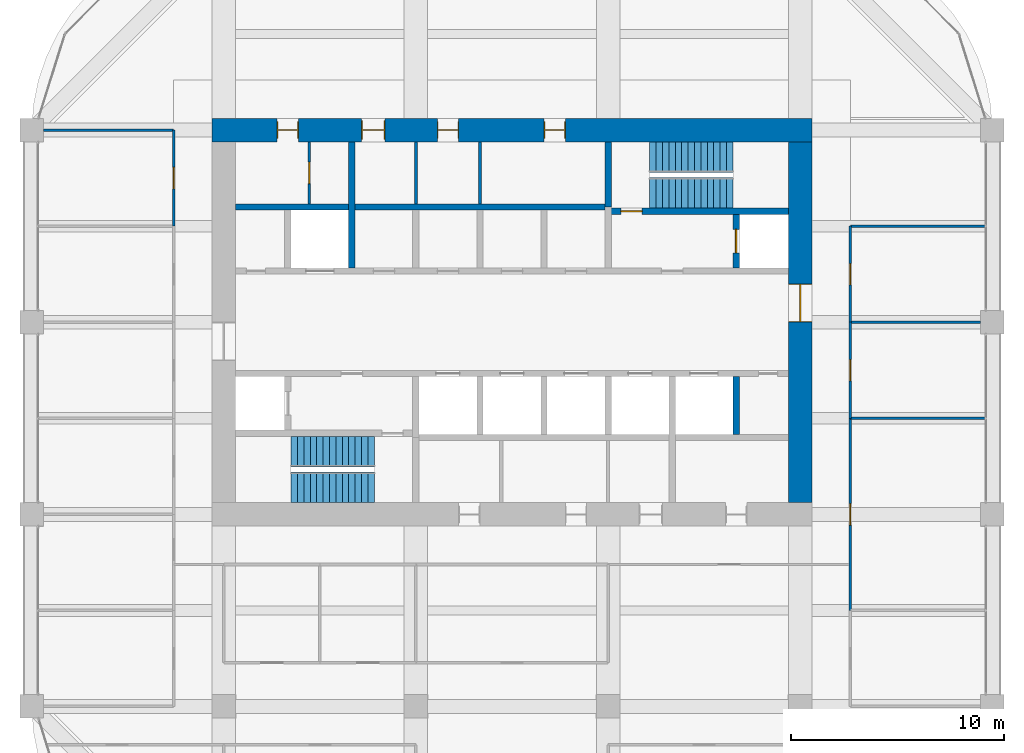
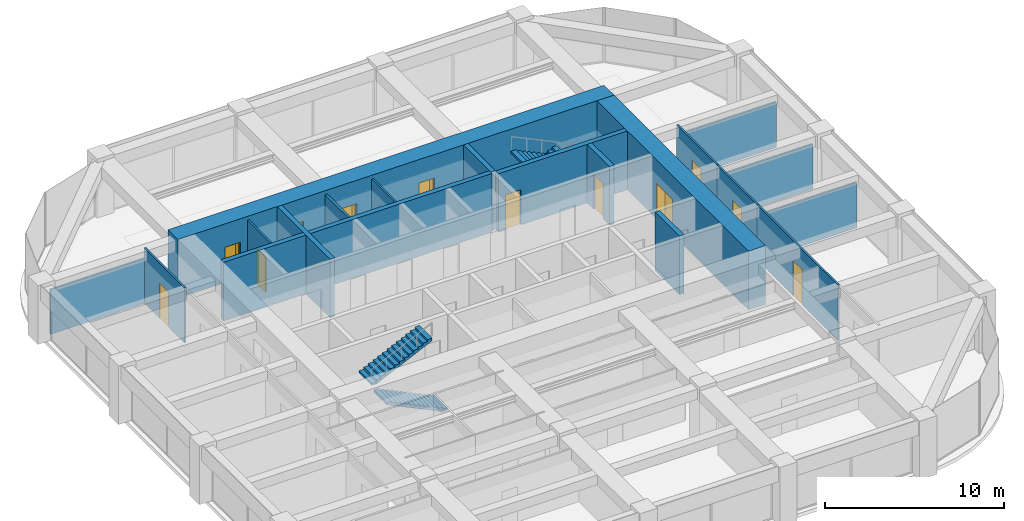
# One storey, part 43 of 44: 19 walls, 12 doors, 4 stair flights, 12 openings, 2 elements without a shape of their own.
"""IFC4 building model written with IfcOpenShell, lengths in metres."""

from ifc_helpers import new_model, si_unit, direction, frame, frame_2d, origin, place, context, subcontext, project, spatial, polyline, rectangle, outline, extrude, material, layer, layer_set, type_object, element, fill, aggregate, save


model = new_model("IFC4")

# Units and contexts
model_context = context("Model", 3, precision=1e-05, world=origin(), true_north=direction((0.0, 1.0)))
body_context = subcontext(model_context, "Body", "Model", "MODEL_VIEW")
ifc_project = project(units=[si_unit("LENGTHUNIT", "METRE"), si_unit("AREAUNIT", "SQUARE_METRE"), si_unit("VOLUMEUNIT", "CUBIC_METRE"), si_unit("PLANEANGLEUNIT", "RADIAN"), si_unit("MASSUNIT", "GRAM", prefix="KILO")], contexts=[model_context])

# Site, building, storey
site_placement = place(None, origin())
site = spatial("IfcSite", under=ifc_project, at=site_placement, CompositionType="ELEMENT")
building_placement = place(site_placement, origin())
building = spatial("IfcBuilding", under=site, at=building_placement, Name="Zorevar Civic Tower", CompositionType="ELEMENT")
storey_placement = place(building_placement, frame((0.0, 0.0, 287.39990234375)))
storey = spatial("IfcBuildingStorey", under=building, at=storey_placement, Name="L70", CompositionType="ELEMENT", Elevation=287.39990234375)

# Wall, openings, doors
ifc_material_1 = material(Name="Concrete C50/60", Category="concrete")
ifc_layer_1 = layer(ifc_material_1, 1.10009765625)
ifc_layer_set_1 = layer_set([ifc_layer_1], Name="Core wall 1100")
wall_type_1 = type_object("IfcWallType", Name="Core wall 1100", PredefinedType="SHEAR", material=ifc_layer_set_1)
wall_1_placement = place(storey_placement, frame((45.550048828125, 36.0, 0.0), z_axis=(0.0, 0.0, 1.0), x_axis=(-1.0, 0.0, 0.0)))
wall_1 = element("IfcWall", 1, at=wall_1_placement, inside=storey, type_object=wall_type_1, Name="Core wall N L70", PredefinedType="SHEAR", context=body_context, shape_type="SweptSolid", body=[
    extrude(rectangle(XDim=28.10009765625, YDim=1.10009765625, at=frame_2d((14.050048828125, 0.0))), origin(), (0.0, 0.0, 1.0), 4.0),
])
opening_1_placement = place(wall_1_placement, frame((11.550048828125, 0.0, 0.0)))
opening_1 = element("IfcOpeningElement", 2, at=opening_1_placement, cuts=wall_1, Name="Opening L70.07", PredefinedType="OPENING", context=body_context, shape_type="SweptSolid", body=[
    extrude(rectangle(XDim=1.0, YDim=2.39990234375, at=frame_2d((0.5, 1.199951171875))), frame((0.0, 0.56005859375, 0.0), z_axis=(0.0, -1.0, 0.0), x_axis=(1.0, 0.0, 0.0)), (0.0, 0.0, 1.0), 1.1201171875),
])
opening_2_placement = place(wall_1_placement, frame((16.550048828125, 0.0, 0.0)))
opening_2 = element("IfcOpeningElement", 3, at=opening_2_placement, cuts=wall_1, Name="Opening L70.08", PredefinedType="OPENING", context=body_context, shape_type="SweptSolid", body=[
    extrude(rectangle(XDim=1.0, YDim=2.39990234375, at=frame_2d((0.5, 1.199951171875))), frame((0.0, 0.56005859375, 0.0), z_axis=(0.0, -1.0, 0.0), x_axis=(1.0, 0.0, 0.0)), (0.0, 0.0, 1.0), 1.1201171875),
])
opening_3_placement = place(wall_1_placement, frame((20.0, 0.0, 0.0)))
opening_3 = element("IfcOpeningElement", 4, at=opening_3_placement, cuts=wall_1, Name="Opening L70.09", PredefinedType="OPENING", context=body_context, shape_type="SweptSolid", body=[
    extrude(rectangle(XDim=1.10009765625, YDim=2.39990234375, at=frame_2d((0.550048828125, 1.199951171875))), frame((0.0, 0.56005859375, 0.0), z_axis=(0.0, -1.0, 0.0), x_axis=(1.0, 0.0, 0.0)), (0.0, 0.0, 1.0), 1.1201171875),
])
opening_4_placement = place(wall_1_placement, frame((24.050048828125, 0.0, 0.0)))
opening_4 = element("IfcOpeningElement", 5, at=opening_4_placement, cuts=wall_1, Name="Opening L70.10", PredefinedType="OPENING", context=body_context, shape_type="SweptSolid", body=[
    extrude(rectangle(XDim=1.0, YDim=2.39990234375, at=frame_2d((0.5, 1.199951171875))), frame((0.0, 0.56005859375, 0.0), z_axis=(0.0, -1.0, 0.0), x_axis=(1.0, 0.0, 0.0)), (0.0, 0.0, 1.0), 1.1201171875),
])
ifc_material_2 = material(Name="Timber door set", Category="wood")
door_type_1 = type_object("IfcDoorType", Name="Door D1 1000x2400", OperationType="SINGLE_SWING_LEFT", PredefinedType="DOOR", material=ifc_material_2)
door_1_placement = place(opening_1_placement, origin())
door_1 = element("IfcDoor", 6, at=door_1_placement, inside=storey, type_object=door_type_1, Name="Door L70 06", OperationType="SINGLE_SWING_LEFT", OverallHeight=2.39990234375, OverallWidth=1.0, PredefinedType="DOOR", context=body_context, shape_type="SweptSolid", body=[
    extrude(rectangle(XDim=1.0, YDim=2.39990234375, at=frame_2d((0.5, 1.199951171875))), frame((0.0, 0.02490234375, 0.0), z_axis=(0.0, -1.0, 0.0), x_axis=(1.0, 0.0, 0.0)), (0.0, 0.0, 1.0), 0.050048828125),
    extrude(rectangle(XDim=0.04, YDim=2.39990234375, at=frame_2d((0.02001953125, 1.199951171875))), frame((0.0, 0.39990234375, 0.0), z_axis=(0.0, -1.0, 0.0), x_axis=(1.0, 0.0, 0.0)), (0.0, 0.0, 1.0), 0.800048828125),
    extrude(rectangle(XDim=0.04, YDim=2.39990234375, at=frame_2d((0.97998046875, 1.199951171875))), frame((0.0, 0.39990234375, 0.0), z_axis=(0.0, -1.0, 0.0), x_axis=(1.0, 0.0, 0.0)), (0.0, 0.0, 1.0), 0.800048828125),
    extrude(rectangle(XDim=1.0, YDim=0.04, at=frame_2d((0.5, 2.3798828125))), frame((0.0, 0.39990234375, 0.0), z_axis=(0.0, -1.0, 0.0), x_axis=(1.0, 0.0, 0.0)), (0.0, 0.0, 1.0), 0.800048828125),
])
fill(opening_1, door_1)
door_2_placement = place(opening_2_placement, origin())
door_2 = element("IfcDoor", 7, at=door_2_placement, inside=storey, type_object=door_type_1, Name="Door L70 07", OperationType="SINGLE_SWING_RIGHT", OverallHeight=2.39990234375, OverallWidth=1.0, PredefinedType="DOOR", context=body_context, shape_type="SweptSolid", body=[
    extrude(rectangle(XDim=1.0, YDim=2.39990234375, at=frame_2d((0.5, 1.199951171875))), frame((0.0, 0.02490234375, 0.0), z_axis=(0.0, -1.0, 0.0), x_axis=(1.0, 0.0, 0.0)), (0.0, 0.0, 1.0), 0.050048828125),
    extrude(rectangle(XDim=0.04, YDim=2.39990234375, at=frame_2d((0.02001953125, 1.199951171875))), frame((0.0, 0.39990234375, 0.0), z_axis=(0.0, -1.0, 0.0), x_axis=(1.0, 0.0, 0.0)), (0.0, 0.0, 1.0), 0.800048828125),
    extrude(rectangle(XDim=0.04, YDim=2.39990234375, at=frame_2d((0.97998046875, 1.199951171875))), frame((0.0, 0.39990234375, 0.0), z_axis=(0.0, -1.0, 0.0), x_axis=(1.0, 0.0, 0.0)), (0.0, 0.0, 1.0), 0.800048828125),
    extrude(rectangle(XDim=1.0, YDim=0.04, at=frame_2d((0.5, 2.3798828125))), frame((0.0, 0.39990234375, 0.0), z_axis=(0.0, -1.0, 0.0), x_axis=(1.0, 0.0, 0.0)), (0.0, 0.0, 1.0), 0.800048828125),
])
fill(opening_2, door_2)
door_3_placement = place(opening_4_placement, origin())
door_3 = element("IfcDoor", 8, at=door_3_placement, inside=storey, type_object=door_type_1, Name="Door L70 09", OperationType="SINGLE_SWING_RIGHT", OverallHeight=2.39990234375, OverallWidth=1.0, PredefinedType="DOOR", context=body_context, shape_type="SweptSolid", body=[
    extrude(rectangle(XDim=1.0, YDim=2.39990234375, at=frame_2d((0.5, 1.199951171875))), frame((0.0, 0.02490234375, 0.0), z_axis=(0.0, -1.0, 0.0), x_axis=(1.0, 0.0, 0.0)), (0.0, 0.0, 1.0), 0.050048828125),
    extrude(rectangle(XDim=0.04, YDim=2.39990234375, at=frame_2d((0.02001953125, 1.199951171875))), frame((0.0, 0.39990234375, 0.0), z_axis=(0.0, -1.0, 0.0), x_axis=(1.0, 0.0, 0.0)), (0.0, 0.0, 1.0), 0.800048828125),
    extrude(rectangle(XDim=0.04, YDim=2.39990234375, at=frame_2d((0.97998046875, 1.199951171875))), frame((0.0, 0.39990234375, 0.0), z_axis=(0.0, -1.0, 0.0), x_axis=(1.0, 0.0, 0.0)), (0.0, 0.0, 1.0), 0.800048828125),
    extrude(rectangle(XDim=1.0, YDim=0.04, at=frame_2d((0.5, 2.3798828125))), frame((0.0, 0.39990234375, 0.0), z_axis=(0.0, -1.0, 0.0), x_axis=(1.0, 0.0, 0.0)), (0.0, 0.0, 1.0), 0.800048828125),
])
fill(opening_4, door_3)
ifc_material_3 = material(Name="Timber door set", Category="wood")
door_type_2 = type_object("IfcDoorType", Name="Door D5 1100x2400", OperationType="SINGLE_SWING_LEFT", PredefinedType="DOOR", material=ifc_material_3)
door_4_placement = place(opening_3_placement, origin())
door_4 = element("IfcDoor", 9, at=door_4_placement, inside=storey, type_object=door_type_2, Name="Door L70 08", OperationType="SINGLE_SWING_RIGHT", OverallHeight=2.39990234375, OverallWidth=1.10009765625, PredefinedType="DOOR", context=body_context, shape_type="SweptSolid", body=[
    extrude(rectangle(XDim=1.10009765625, YDim=2.39990234375, at=frame_2d((0.550048828125, 1.199951171875))), frame((0.0, 0.02490234375, 0.0), z_axis=(0.0, -1.0, 0.0), x_axis=(1.0, 0.0, 0.0)), (0.0, 0.0, 1.0), 0.050048828125),
    extrude(rectangle(XDim=0.04, YDim=2.39990234375, at=frame_2d((0.02001953125, 1.199951171875))), frame((0.0, 0.43994140625, 0.0), z_axis=(0.0, -1.0, 0.0), x_axis=(1.0, 0.0, 0.0)), (0.0, 0.0, 1.0), 0.880126953125),
    extrude(rectangle(XDim=0.04, YDim=2.39990234375, at=frame_2d((1.080078125, 1.199951171875))), frame((0.0, 0.43994140625, 0.0), z_axis=(0.0, -1.0, 0.0), x_axis=(1.0, 0.0, 0.0)), (0.0, 0.0, 1.0), 0.880126953125),
    extrude(rectangle(XDim=1.10009765625, YDim=0.04, at=frame_2d((0.550048828125, 2.3798828125))), frame((0.0, 0.43994140625, 0.0), z_axis=(0.0, -1.0, 0.0), x_axis=(1.0, 0.0, 0.0)), (0.0, 0.0, 1.0), 0.880126953125),
])
fill(opening_3, door_4)

# Wall, opening, door
wall_2_placement = place(storey_placement, frame((45.0, 18.550048828125, 0.0), z_axis=(0.0, 0.0, 1.0), x_axis=(0.0, 1.0, 0.0)))
wall_2 = element("IfcWall", 10, at=wall_2_placement, inside=storey, type_object=wall_type_1, Name="Core wall E L70", PredefinedType="SHEAR", context=body_context, shape_type="SweptSolid", body=[
    extrude(rectangle(XDim=16.89990234375, YDim=1.10009765625, at=frame_2d((8.449951171875, 0.0))), origin(), (0.0, 0.0, 1.0), 4.0),
])
opening_5_placement = place(wall_2_placement, frame((8.449951171875, 0.0, 0.0)))
opening_5 = element("IfcOpeningElement", 11, at=opening_5_placement, cuts=wall_2, Name="Opening L70.02", PredefinedType="OPENING", context=body_context, shape_type="SweptSolid", body=[
    extrude(rectangle(XDim=1.800048828125, YDim=2.39990234375, at=frame_2d((0.89990234375, 1.199951171875))), frame((0.0, 0.56005859375, 0.0), z_axis=(0.0, -1.0, 0.0), x_axis=(1.0, 0.0, 0.0)), (0.0, 0.0, 1.0), 1.1201171875),
])
ifc_material_4 = material(Name="Steel door set", Category="steel")
door_type_3 = type_object("IfcDoorType", Name="Fire door FD2 1800x2400", OperationType="DOUBLE_DOOR_DOUBLE_SWING", PredefinedType="DOOR", material=ifc_material_4)
door_5_placement = place(opening_5_placement, origin())
door_5 = element("IfcDoor", 12, at=door_5_placement, inside=storey, type_object=door_type_3, Name="Door L70 01", OperationType="DOUBLE_DOOR_DOUBLE_SWING", OverallHeight=2.39990234375, OverallWidth=1.800048828125, PredefinedType="DOOR", context=body_context, shape_type="SweptSolid", body=[
    extrude(rectangle(XDim=1.800048828125, YDim=2.39990234375, at=frame_2d((0.89990234375, 1.199951171875))), frame((0.0, 0.030029296875, 0.0), z_axis=(0.0, -1.0, 0.0), x_axis=(1.0, 0.0, 0.0)), (0.0, 0.0, 1.0), 0.06005859375),
    extrude(rectangle(XDim=0.04, YDim=2.39990234375, at=frame_2d((0.02001953125, 1.199951171875))), frame((0.0, 0.5498046875, 0.0), z_axis=(0.0, -1.0, 0.0), x_axis=(1.0, 0.0, 0.0)), (0.0, 0.0, 1.0), 1.099609375),
    extrude(rectangle(XDim=0.04, YDim=2.39990234375, at=frame_2d((1.780029296875, 1.199951171875))), frame((0.0, 0.5498046875, 0.0), z_axis=(0.0, -1.0, 0.0), x_axis=(1.0, 0.0, 0.0)), (0.0, 0.0, 1.0), 1.099609375),
    extrude(rectangle(XDim=1.800048828125, YDim=0.04, at=frame_2d((0.89990234375, 2.3798828125))), frame((0.0, 0.5498046875, 0.0), z_axis=(0.0, -1.0, 0.0), x_axis=(1.0, 0.0, 0.0)), (0.0, 0.0, 1.0), 1.099609375),
])
fill(opening_5, door_5)

ifc_material_5 = material(Name="Concrete C40/50", Category="concrete")
ifc_layer_2 = layer(ifc_material_5, 0.300048828125)
ifc_layer_set_2 = layer_set([ifc_layer_2], Name="Inner core wall 300")
wall_type_2 = type_object("IfcWallType", Name="Inner core wall 300", PredefinedType="SHEAR", material=ifc_layer_set_2)
wall_3_placement = place(storey_placement, frame((36.14990234375, 32.199951171875, 0.0), z_axis=(0.0, 0.0, 1.0), x_axis=(1.0, 0.0, 0.0)))
wall_3 = element("IfcWall", 13, at=wall_3_placement, inside=storey, type_object=wall_type_2, Name="Inner core wall N00 L70", PredefinedType="SHEAR", context=body_context, shape_type="SweptSolid", body=[
    extrude(rectangle(XDim=8.300048828125, YDim=0.300048828125, at=frame_2d((4.14990234375, 0.0))), origin(), (0.0, 0.0, 1.0), 4.0),
])
opening_6_placement = place(wall_3_placement, frame((0.449951171875, 0.0, 0.0)))
opening_6 = element("IfcOpeningElement", 14, at=opening_6_placement, cuts=wall_3, Name="Opening L70.12", PredefinedType="OPENING", context=body_context, shape_type="SweptSolid", body=[
    extrude(rectangle(XDim=1.0, YDim=2.39990234375, at=frame_2d((0.5, 1.199951171875))), frame((0.0, 0.159912109375, 0.0), z_axis=(0.0, -1.0, 0.0), x_axis=(1.0, 0.0, 0.0)), (0.0, 0.0, 1.0), 0.320068359375),
])
ifc_material_6 = material(Name="Steel door set", Category="steel")
door_type_4 = type_object("IfcDoorType", Name="Fire door FD1 1000x2400", OperationType="SINGLE_SWING_LEFT", PredefinedType="DOOR", material=ifc_material_6)
door_6_placement = place(opening_6_placement, origin())
door_6 = element("IfcDoor", 15, at=door_6_placement, inside=storey, type_object=door_type_4, Name="Door L70 11", OperationType="SINGLE_SWING_RIGHT", OverallHeight=2.39990234375, OverallWidth=1.0, PredefinedType="DOOR", context=body_context, shape_type="SweptSolid", body=[
    extrude(rectangle(XDim=1.0, YDim=2.39990234375, at=frame_2d((0.5, 1.199951171875))), frame((0.0, 0.030029296875, 0.0), z_axis=(0.0, -1.0, 0.0), x_axis=(1.0, 0.0, 0.0)), (0.0, 0.0, 1.0), 0.06005859375),
])
fill(opening_6, door_6)

# Wall
wall_4_placement = place(storey_placement, frame((36.0, 32.39990234375, 0.0), z_axis=(0.0, 0.0, 1.0), x_axis=(0.0, 1.0, 0.0)))
element("IfcWall", 16, at=wall_4_placement, inside=storey, type_object=wall_type_2, Name="Inner core wall N01 L70", PredefinedType="SHEAR", context=body_context, shape_type="SweptSolid", body=[
    extrude(rectangle(XDim=3.050048828125, YDim=0.300048828125, at=frame_2d((1.52490234375, 0.0))), origin(), (0.0, 0.0, 1.0), 4.0),
])

# Wall, opening, door
wall_5_placement = place(storey_placement, frame((42.0, 29.550048828125, 0.0), z_axis=(0.0, 0.0, 1.0), x_axis=(0.0, 1.0, 0.0)))
wall_5 = element("IfcWall", 17, at=wall_5_placement, inside=storey, type_object=wall_type_2, Name="Inner core wall N02 L70", PredefinedType="SHEAR", context=body_context, shape_type="SweptSolid", body=[
    extrude(rectangle(XDim=2.5, YDim=0.300048828125, at=frame_2d((1.25, 0.0))), origin(), (0.0, 0.0, 1.0), 4.0),
])
opening_7_placement = place(wall_5_placement, frame((0.699951171875, 0.0, 0.0)))
opening_7 = element("IfcOpeningElement", 18, at=opening_7_placement, cuts=wall_5, Name="Opening L70.FL2", PredefinedType="OPENING", context=body_context, shape_type="SweptSolid", body=[
    extrude(rectangle(XDim=1.10009765625, YDim=2.39990234375, at=frame_2d((0.550048828125, 1.199951171875))), frame((0.0, 0.159912109375, 0.0), z_axis=(0.0, -1.0, 0.0), x_axis=(1.0, 0.0, 0.0)), (0.0, 0.0, 1.0), 0.320068359375),
])
ifc_material_7 = material(Name="Steel door set", Category="steel")
door_type_5 = type_object("IfcDoorType", Name="Firefighting lift landing door LD3 1100x2400", OperationType="DOUBLE_DOOR_SLIDING", PredefinedType="DOOR", material=ifc_material_7)
door_7_placement = place(opening_7_placement, origin())
door_7 = element("IfcDoor", 19, at=door_7_placement, inside=storey, type_object=door_type_5, Name="Landing door FL2 L70", OperationType="DOUBLE_DOOR_SLIDING", OverallHeight=2.39990234375, OverallWidth=1.10009765625, PredefinedType="DOOR", context=body_context, shape_type="SweptSolid", body=[
    extrude(rectangle(XDim=1.10009765625, YDim=2.39990234375, at=frame_2d((0.550048828125, 1.199951171875))), frame((0.0, 0.030029296875, 0.0), z_axis=(0.0, -1.0, 0.0), x_axis=(1.0, 0.0, 0.0)), (0.0, 0.0, 1.0), 0.06005859375),
])
fill(opening_7, door_7)

# Walls
wall_6_placement = place(storey_placement, frame((18.550048828125, 32.39990234375, 0.0), z_axis=(0.0, 0.0, 1.0), x_axis=(1.0, 0.0, 0.0)))
element("IfcWall", 20, at=wall_6_placement, inside=storey, type_object=wall_type_2, Name="Inner core wall N04 L70", PredefinedType="SHEAR", context=body_context, shape_type="SweptSolid", body=[
    extrude(rectangle(XDim=17.300048828125, YDim=0.300048828125, at=frame_2d((8.64990234375, 0.0))), origin(), (0.0, 0.0, 1.0), 4.0),
])
wall_7_placement = place(storey_placement, frame((24.0, 29.550048828125, 0.0), z_axis=(0.0, 0.0, 1.0), x_axis=(0.0, 1.0, 0.0)))
element("IfcWall", 21, at=wall_7_placement, inside=storey, type_object=wall_type_2, Name="Inner core wall N08 L70", PredefinedType="SHEAR", context=body_context, shape_type="SweptSolid", body=[
    extrude(rectangle(XDim=5.89990234375, YDim=0.300048828125, at=frame_2d((2.949951171875, 0.0))), origin(), (0.0, 0.0, 1.0), 4.0),
])
wall_8_placement = place(storey_placement, frame((42.0, 21.75, 0.0), z_axis=(0.0, 0.0, 1.0), x_axis=(0.0, 1.0, 0.0)))
element("IfcWall", 22, at=wall_8_placement, inside=storey, type_object=wall_type_2, Name="Inner core wall S09 L70", PredefinedType="SHEAR", context=body_context, shape_type="SweptSolid", body=[
    extrude(rectangle(XDim=2.699951171875, YDim=0.300048828125, at=frame_2d((1.35009765625, 0.0))), origin(), (0.0, 0.0, 1.0), 4.0),
])
ifc_material_8 = material(Name="Gypsum board on steel studs", Category="steel")
ifc_layer_3 = layer(ifc_material_8, 0.1201171875)
ifc_layer_set_3 = layer_set([ifc_layer_3], Name="Partition 120")
wall_type_3 = type_object("IfcWallType", Name="Partition 120", PredefinedType="PARTITIONING", material=ifc_layer_set_3)
wall_9_placement = place(storey_placement, frame((47.35009765625, 22.5, 0.0), z_axis=(0.0, 0.0, 1.0), x_axis=(1.0, 0.0, 0.0)))
element("IfcWall", 23, at=wall_9_placement, inside=storey, type_object=wall_type_3, Name="Partition 120 L70", PredefinedType="PARTITIONING", context=body_context, shape_type="SweptSolid", body=[
    extrude(rectangle(XDim=6.33984375, YDim=0.1201171875, at=frame_2d((3.169921875, 0.0))), origin(), (0.0, 0.0, 1.0), 3.10009765625),
])
wall_10_placement = place(storey_placement, frame((47.35009765625, 27.0, 0.0), z_axis=(0.0, 0.0, 1.0), x_axis=(1.0, 0.0, 0.0)))
element("IfcWall", 24, at=wall_10_placement, inside=storey, type_object=wall_type_3, Name="Partition 120 L70", PredefinedType="PARTITIONING", context=body_context, shape_type="SweptSolid", body=[
    extrude(rectangle(XDim=6.099853515625, YDim=0.1201171875, at=frame_2d((3.0498046875, 0.0))), origin(), (0.0, 0.0, 1.0), 3.050048828125),
])
wall_11_placement = place(storey_placement, frame((47.35009765625, 31.5, 0.0), z_axis=(0.0, 0.0, 1.0), x_axis=(1.0, 0.0, 0.0)))
element("IfcWall", 25, at=wall_11_placement, inside=storey, type_object=wall_type_3, Name="Partition 120 L70", PredefinedType="PARTITIONING", context=body_context, shape_type="SweptSolid", body=[
    extrude(rectangle(XDim=6.33984375, YDim=0.1201171875, at=frame_2d((3.169921875, 0.0))), origin(), (0.0, 0.0, 1.0), 3.10009765625),
])
wall_12_placement = place(storey_placement, frame((9.550048828125, 36.0, 0.0), z_axis=(0.0, 0.0, 1.0), x_axis=(1.0, 0.0, 0.0)))
element("IfcWall", 26, at=wall_12_placement, inside=storey, type_object=wall_type_3, Name="Partition 120 L70", PredefinedType="PARTITIONING", context=body_context, shape_type="SweptSolid", body=[
    extrude(rectangle(XDim=6.099853515625, YDim=0.1201171875, at=frame_2d((3.0498046875, 0.0))), origin(), (0.0, 0.0, 1.0), 3.050048828125),
])

# Wall, opening, door
wall_13_placement = place(storey_placement, frame((15.64990234375, 31.5, 0.0), z_axis=(0.0, 0.0, 1.0), x_axis=(0.0, 1.0, 0.0)))
wall_13 = element("IfcWall", 27, at=wall_13_placement, inside=storey, type_object=wall_type_3, Name="Partition 120 L70", PredefinedType="PARTITIONING", context=body_context, shape_type="SweptSolid", body=[
    extrude(rectangle(XDim=4.5, YDim=0.1201171875, at=frame_2d((2.25, 0.0))), origin(), (0.0, 0.0, 1.0), 3.75),
])
opening_8_placement = place(wall_13_placement, frame((1.75, 0.0, 0.0)))
opening_8 = element("IfcOpeningElement", 28, at=opening_8_placement, cuts=wall_13, Name="Opening L70.29", PredefinedType="OPENING", context=body_context, shape_type="SweptSolid", body=[
    extrude(rectangle(XDim=1.0, YDim=2.39990234375, at=frame_2d((0.5, 1.199951171875))), frame((0.0, 0.070068359375, 0.0), z_axis=(0.0, -1.0, 0.0), x_axis=(1.0, 0.0, 0.0)), (0.0, 0.0, 1.0), 0.14013671875),
])
door_8_placement = place(opening_8_placement, origin())
door_8 = element("IfcDoor", 29, at=door_8_placement, inside=storey, type_object=door_type_1, Name="Door L70 D1", OperationType="SINGLE_SWING_RIGHT", OverallHeight=2.39990234375, OverallWidth=1.0, PredefinedType="DOOR", context=body_context, shape_type="SweptSolid", body=[
    extrude(rectangle(XDim=1.0, YDim=2.39990234375, at=frame_2d((0.5, 1.199951171875))), frame((0.0, 0.02490234375, 0.0), z_axis=(0.0, -1.0, 0.0), x_axis=(1.0, 0.0, 0.0)), (0.0, 0.0, 1.0), 0.050048828125),
])
fill(opening_8, door_8)

wall_14_placement = place(storey_placement, frame((47.35009765625, 13.5, 0.0), z_axis=(0.0, 0.0, 1.0), x_axis=(0.0, 1.0, 0.0)))
wall_14 = element("IfcWall", 30, at=wall_14_placement, inside=storey, type_object=wall_type_3, Name="Partition 120 L70", PredefinedType="PARTITIONING", context=body_context, shape_type="SweptSolid", body=[
    extrude(rectangle(XDim=9.0, YDim=0.1201171875, at=frame_2d((4.5, 0.0))), origin(), (0.0, 0.0, 1.0), 3.75),
])
opening_9_placement = place(wall_14_placement, frame((4.0, 0.0, 0.0)))
opening_9 = element("IfcOpeningElement", 31, at=opening_9_placement, cuts=wall_14, Name="Opening L70.31", PredefinedType="OPENING", context=body_context, shape_type="SweptSolid", body=[
    extrude(rectangle(XDim=1.0, YDim=2.39990234375, at=frame_2d((0.5, 1.199951171875))), frame((0.0, 0.070068359375, 0.0), z_axis=(0.0, -1.0, 0.0), x_axis=(1.0, 0.0, 0.0)), (0.0, 0.0, 1.0), 0.14013671875),
])
door_9_placement = place(opening_9_placement, origin())
door_9 = element("IfcDoor", 32, at=door_9_placement, inside=storey, type_object=door_type_1, Name="Door L70 D1", OperationType="SINGLE_SWING_RIGHT", OverallHeight=2.39990234375, OverallWidth=1.0, PredefinedType="DOOR", context=body_context, shape_type="SweptSolid", body=[
    extrude(rectangle(XDim=1.0, YDim=2.39990234375, at=frame_2d((0.5, 1.199951171875))), frame((0.0, 0.02490234375, 0.0), z_axis=(0.0, -1.0, 0.0), x_axis=(1.0, 0.0, 0.0)), (0.0, 0.0, 1.0), 0.050048828125),
])
fill(opening_9, door_9)

wall_15_placement = place(storey_placement, frame((47.35009765625, 22.5, 0.0), z_axis=(0.0, 0.0, 1.0), x_axis=(0.0, 1.0, 0.0)))
wall_15 = element("IfcWall", 33, at=wall_15_placement, inside=storey, type_object=wall_type_3, Name="Partition 120 L70", PredefinedType="PARTITIONING", context=body_context, shape_type="SweptSolid", body=[
    extrude(rectangle(XDim=4.5, YDim=0.1201171875, at=frame_2d((2.25, 0.0))), origin(), (0.0, 0.0, 1.0), 3.75),
])
opening_10_placement = place(wall_15_placement, frame((1.75, 0.0, 0.0)))
opening_10 = element("IfcOpeningElement", 34, at=opening_10_placement, cuts=wall_15, Name="Opening L70.32", PredefinedType="OPENING", context=body_context, shape_type="SweptSolid", body=[
    extrude(rectangle(XDim=1.0, YDim=2.39990234375, at=frame_2d((0.5, 1.199951171875))), frame((0.0, 0.070068359375, 0.0), z_axis=(0.0, -1.0, 0.0), x_axis=(1.0, 0.0, 0.0)), (0.0, 0.0, 1.0), 0.14013671875),
])
door_10_placement = place(opening_10_placement, origin())
door_10 = element("IfcDoor", 35, at=door_10_placement, inside=storey, type_object=door_type_1, Name="Door L70 D1", OperationType="SINGLE_SWING_RIGHT", OverallHeight=2.39990234375, OverallWidth=1.0, PredefinedType="DOOR", context=body_context, shape_type="SweptSolid", body=[
    extrude(rectangle(XDim=1.0, YDim=2.39990234375, at=frame_2d((0.5, 1.199951171875))), frame((0.0, 0.02490234375, 0.0), z_axis=(0.0, -1.0, 0.0), x_axis=(1.0, 0.0, 0.0)), (0.0, 0.0, 1.0), 0.050048828125),
])
fill(opening_10, door_10)

wall_16_placement = place(storey_placement, frame((47.35009765625, 27.0, 0.0), z_axis=(0.0, 0.0, 1.0), x_axis=(0.0, 1.0, 0.0)))
wall_16 = element("IfcWall", 36, at=wall_16_placement, inside=storey, type_object=wall_type_3, Name="Partition 120 L70", PredefinedType="PARTITIONING", context=body_context, shape_type="SweptSolid", body=[
    extrude(rectangle(XDim=4.5, YDim=0.1201171875, at=frame_2d((2.25, 0.0))), origin(), (0.0, 0.0, 1.0), 3.75),
])
opening_11_placement = place(wall_16_placement, frame((1.75, 0.0, 0.0)))
opening_11 = element("IfcOpeningElement", 37, at=opening_11_placement, cuts=wall_16, Name="Opening L70.33", PredefinedType="OPENING", context=body_context, shape_type="SweptSolid", body=[
    extrude(rectangle(XDim=1.0, YDim=2.39990234375, at=frame_2d((0.5, 1.199951171875))), frame((0.0, 0.070068359375, 0.0), z_axis=(0.0, -1.0, 0.0), x_axis=(1.0, 0.0, 0.0)), (0.0, 0.0, 1.0), 0.14013671875),
])
door_11_placement = place(opening_11_placement, origin())
door_11 = element("IfcDoor", 38, at=door_11_placement, inside=storey, type_object=door_type_1, Name="Door L70 D1", OperationType="SINGLE_SWING_LEFT", OverallHeight=2.39990234375, OverallWidth=1.0, PredefinedType="DOOR", context=body_context, shape_type="SweptSolid", body=[
    extrude(rectangle(XDim=1.0, YDim=2.39990234375, at=frame_2d((0.5, 1.199951171875))), frame((0.0, 0.02490234375, 0.0), z_axis=(0.0, -1.0, 0.0), x_axis=(1.0, 0.0, 0.0)), (0.0, 0.0, 1.0), 0.050048828125),
])
fill(opening_11, door_11)

# Wall
wall_17_placement = place(storey_placement, frame((30.0, 32.550048828125, 0.0), z_axis=(0.0, 0.0, 1.0), x_axis=(0.0, 1.0, 0.0)))
element("IfcWall", 39, at=wall_17_placement, inside=storey, type_object=wall_type_3, Name="Partition L70", PredefinedType="PARTITIONING", context=body_context, shape_type="SweptSolid", body=[
    extrude(rectangle(XDim=2.89990234375, YDim=0.1201171875, at=frame_2d((1.449951171875, 0.0))), origin(), (0.0, 0.0, 1.0), 3.75),
])

# Wall, opening, door
wall_18_placement = place(storey_placement, frame((22.0, 32.550048828125, 0.0), z_axis=(0.0, 0.0, 1.0), x_axis=(0.0, 1.0, 0.0)))
wall_18 = element("IfcWall", 40, at=wall_18_placement, inside=storey, type_object=wall_type_3, Name="Partition L70", PredefinedType="PARTITIONING", context=body_context, shape_type="SweptSolid", body=[
    extrude(rectangle(XDim=2.89990234375, YDim=0.1201171875, at=frame_2d((1.449951171875, 0.0))), origin(), (0.0, 0.0, 1.0), 3.75),
])
opening_12_placement = place(wall_18_placement, frame((0.949951171875, 0.0, 0.0)))
opening_12 = element("IfcOpeningElement", 41, at=opening_12_placement, cuts=wall_18, Name="Opening L70.34", PredefinedType="OPENING", context=body_context, shape_type="SweptSolid", body=[
    extrude(rectangle(XDim=1.0, YDim=2.39990234375, at=frame_2d((0.5, 1.199951171875))), frame((0.0, 0.070068359375, 0.0), z_axis=(0.0, -1.0, 0.0), x_axis=(1.0, 0.0, 0.0)), (0.0, 0.0, 1.0), 0.14013671875),
])
door_12_placement = place(opening_12_placement, origin())
door_12 = element("IfcDoor", 42, at=door_12_placement, inside=storey, type_object=door_type_4, Name="Door L70 EN", OperationType="SINGLE_SWING_LEFT", OverallHeight=2.39990234375, OverallWidth=1.0, PredefinedType="DOOR", context=body_context, shape_type="SweptSolid", body=[
    extrude(rectangle(XDim=1.0, YDim=2.39990234375, at=frame_2d((0.5, 1.199951171875))), frame((0.0, 0.030029296875, 0.0), z_axis=(0.0, -1.0, 0.0), x_axis=(1.0, 0.0, 0.0)), (0.0, 0.0, 1.0), 0.06005859375),
])
fill(opening_12, door_12)

# Wall
ifc_material_9 = material(Name="Gypsum board on steel studs, moisture resistant", Category="steel")
ifc_layer_4 = layer(ifc_material_9, 0.14990234375)
ifc_layer_set_4 = layer_set([ifc_layer_4], Name="WC partition 150")
wall_type_4 = type_object("IfcWallType", Name="WC partition 150", PredefinedType="PARTITIONING", material=ifc_layer_set_4)
wall_19_placement = place(storey_placement, frame((27.0, 32.550048828125, 0.0), z_axis=(0.0, 0.0, 1.0), x_axis=(0.0, 1.0, 0.0)))
element("IfcWall", 43, at=wall_19_placement, inside=storey, type_object=wall_type_4, Name="WC partition L70", PredefinedType="PARTITIONING", context=body_context, shape_type="SweptSolid", body=[
    extrude(rectangle(XDim=2.89990234375, YDim=0.14990234375, at=frame_2d((1.449951171875, 0.0))), origin(), (0.0, 0.0, 1.0), 3.75),
])

# Stair, stair flights
ifc_material_10 = material(Name="Precast concrete C40/50", Category="concrete")
stair_type = type_object("IfcStairType", Name="Stair ST 28R", PredefinedType="HALF_TURN_STAIR", material=ifc_material_10)
stair_1_placement = place(storey_placement, origin())
stair_1 = element("IfcStair", 44, at=stair_1_placement, inside=storey, type_object=stair_type, Name="Stair ST1 L70", PredefinedType="HALF_TURN_STAIR")
ifc_material_11 = material(Name="Precast concrete C40/50", Category="concrete")
stair_flight_type = type_object("IfcStairFlightType", Name="Stair flight", PredefinedType="STRAIGHT", material=ifc_material_11)
stair_flight_1_placement = place(storey_placement, frame((25.050048828125, 19.262451171875, 0.0), z_axis=(0.0, 0.0, 1.0), x_axis=(-1.0, 0.0, 0.0)))
stair_flight_1 = element("IfcStairFlight", 45, at=stair_flight_1_placement, type_object=stair_flight_type, Name="ST1 flight 1", NumberOfRisers=14, NumberOfTreads=13, PredefinedType="STRAIGHT", RiserHeight=0.142857143, TreadLength=0.3, context=body_context, shape_type="SweptSolid", body=[
    extrude(outline(polyline([(0.0, 0.0), (0.0, 0.142822265625), (0.300048828125, 0.142822265625), (0.300048828125, 0.28564453125), (0.60009765625, 0.28564453125), (0.60009765625, 0.428466796875), (0.89990234375, 0.428466796875), (0.89990234375, 0.571533203125), (1.199951171875, 0.571533203125), (1.199951171875, 0.71435546875), (1.5, 0.71435546875), (1.5, 0.857177734375), (1.800048828125, 0.857177734375), (1.800048828125, 1.0), (2.10009765625, 1.0), (2.10009765625, 1.142822265625), (2.39990234375, 1.142822265625), (2.39990234375, 1.28564453125), (2.699951171875, 1.28564453125), (2.699951171875, 1.428466796875), (3.0, 1.428466796875), (3.0, 1.571533203125), (3.300048828125, 1.571533203125), (3.300048828125, 1.71435546875), (3.60009765625, 1.71435546875), (3.60009765625, 1.857177734375), (3.89990234375, 1.857177734375), (3.89990234375, 2.0), (3.89990234375, 1.691162109375), (0.3486328125, 0.0), (0.0, 0.0)])), frame((0.0, 0.71240234375, 0.0), z_axis=(0.0, -1.0, 0.0), x_axis=(1.0, 0.0, 0.0)), (0.0, 0.0, 1.0), 1.425048828125),
])
stair_flight_2_placement = place(storey_placement, frame((21.14990234375, 20.9375, 2.0), z_axis=(0.0, 0.0, 1.0), x_axis=(1.0, 0.0, 0.0)))
stair_flight_2 = element("IfcStairFlight", 46, at=stair_flight_2_placement, type_object=stair_flight_type, Name="ST1 flight 2", NumberOfRisers=14, NumberOfTreads=13, PredefinedType="STRAIGHT", RiserHeight=0.142857143, TreadLength=0.3, context=body_context, shape_type="SweptSolid", body=[
    extrude(outline(polyline([(0.0, 0.0), (0.0, 0.142822265625), (0.300048828125, 0.142822265625), (0.300048828125, 0.28564453125), (0.60009765625, 0.28564453125), (0.60009765625, 0.428466796875), (0.89990234375, 0.428466796875), (0.89990234375, 0.571533203125), (1.199951171875, 0.571533203125), (1.199951171875, 0.71435546875), (1.5, 0.71435546875), (1.5, 0.857177734375), (1.800048828125, 0.857177734375), (1.800048828125, 1.0), (2.10009765625, 1.0), (2.10009765625, 1.142822265625), (2.39990234375, 1.142822265625), (2.39990234375, 1.28564453125), (2.699951171875, 1.28564453125), (2.699951171875, 1.428466796875), (3.0, 1.428466796875), (3.0, 1.571533203125), (3.300048828125, 1.571533203125), (3.300048828125, 1.71435546875), (3.60009765625, 1.71435546875), (3.60009765625, 1.857177734375), (3.89990234375, 1.857177734375), (3.89990234375, 2.0), (3.89990234375, 1.691162109375), (0.3486328125, 0.0), (0.0, 0.0)])), frame((0.0, 0.71240234375, 0.0), z_axis=(0.0, -1.0, 0.0), x_axis=(1.0, 0.0, 0.0)), (0.0, 0.0, 1.0), 1.425048828125),
])
aggregate(stair_1, [stair_flight_1, stair_flight_2])

stair_2_placement = place(storey_placement, origin())
stair_2 = element("IfcStair", 47, at=stair_2_placement, inside=storey, type_object=stair_type, Name="Stair ST2 L70", PredefinedType="HALF_TURN_STAIR")
stair_flight_3_placement = place(storey_placement, frame((37.949951171875, 34.737548828125, 0.0), z_axis=(0.0, 0.0, 1.0), x_axis=(1.0, 0.0, 0.0)))
stair_flight_3 = element("IfcStairFlight", 48, at=stair_flight_3_placement, type_object=stair_flight_type, Name="ST2 flight 1", NumberOfRisers=14, NumberOfTreads=13, PredefinedType="STRAIGHT", RiserHeight=0.142857143, TreadLength=0.3, context=body_context, shape_type="SweptSolid", body=[
    extrude(outline(polyline([(0.0, 0.0), (0.0, 0.142822265625), (0.300048828125, 0.142822265625), (0.300048828125, 0.28564453125), (0.60009765625, 0.28564453125), (0.60009765625, 0.428466796875), (0.89990234375, 0.428466796875), (0.89990234375, 0.571533203125), (1.199951171875, 0.571533203125), (1.199951171875, 0.71435546875), (1.5, 0.71435546875), (1.5, 0.857177734375), (1.800048828125, 0.857177734375), (1.800048828125, 1.0), (2.10009765625, 1.0), (2.10009765625, 1.142822265625), (2.39990234375, 1.142822265625), (2.39990234375, 1.28564453125), (2.699951171875, 1.28564453125), (2.699951171875, 1.428466796875), (3.0, 1.428466796875), (3.0, 1.571533203125), (3.300048828125, 1.571533203125), (3.300048828125, 1.71435546875), (3.60009765625, 1.71435546875), (3.60009765625, 1.857177734375), (3.89990234375, 1.857177734375), (3.89990234375, 2.0), (3.89990234375, 1.691162109375), (0.3486328125, 0.0), (0.0, 0.0)])), frame((0.0, 0.71240234375, 0.0), z_axis=(0.0, -1.0, 0.0), x_axis=(1.0, 0.0, 0.0)), (0.0, 0.0, 1.0), 1.425048828125),
])
stair_flight_4_placement = place(storey_placement, frame((41.85009765625, 33.0625, 2.0), z_axis=(0.0, 0.0, 1.0), x_axis=(-1.0, 0.0, 0.0)))
stair_flight_4 = element("IfcStairFlight", 49, at=stair_flight_4_placement, type_object=stair_flight_type, Name="ST2 flight 2", NumberOfRisers=14, NumberOfTreads=13, PredefinedType="STRAIGHT", RiserHeight=0.142857143, TreadLength=0.3, context=body_context, shape_type="SweptSolid", body=[
    extrude(outline(polyline([(0.0, 0.0), (0.0, 0.142822265625), (0.300048828125, 0.142822265625), (0.300048828125, 0.28564453125), (0.60009765625, 0.28564453125), (0.60009765625, 0.428466796875), (0.89990234375, 0.428466796875), (0.89990234375, 0.571533203125), (1.199951171875, 0.571533203125), (1.199951171875, 0.71435546875), (1.5, 0.71435546875), (1.5, 0.857177734375), (1.800048828125, 0.857177734375), (1.800048828125, 1.0), (2.10009765625, 1.0), (2.10009765625, 1.142822265625), (2.39990234375, 1.142822265625), (2.39990234375, 1.28564453125), (2.699951171875, 1.28564453125), (2.699951171875, 1.428466796875), (3.0, 1.428466796875), (3.0, 1.571533203125), (3.300048828125, 1.571533203125), (3.300048828125, 1.71435546875), (3.60009765625, 1.71435546875), (3.60009765625, 1.857177734375), (3.89990234375, 1.857177734375), (3.89990234375, 2.0), (3.89990234375, 1.691162109375), (0.3486328125, 0.0), (0.0, 0.0)])), frame((0.0, 0.71240234375, 0.0), z_axis=(0.0, -1.0, 0.0), x_axis=(1.0, 0.0, 0.0)), (0.0, 0.0, 1.0), 1.425048828125),
])
aggregate(stair_2, [stair_flight_3, stair_flight_4])

save(model, "model.ifc")
